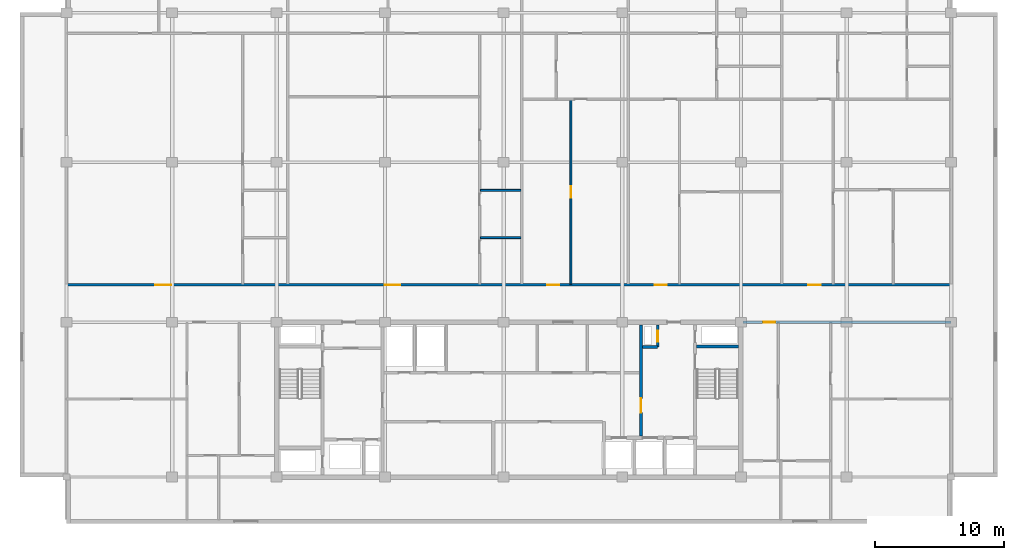
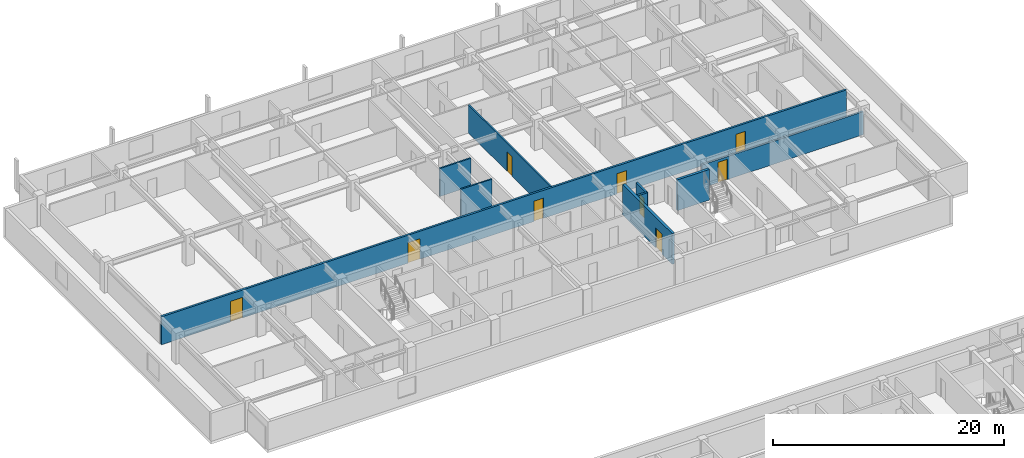
# One storey, part 12 of 21: 9 doors, 9 walls, 9 openings.
"""IFC4 building model written with IfcOpenShell, lengths in metres."""

from ifc_helpers import new_model, si_unit, direction, frame, frame_2d, origin, place, context, subcontext, project, spatial, rectangle, extrude, material, layer, layer_set, type_object, element, fill, save


model = new_model("IFC4")

# Units and contexts
model_context = context("Model", 3, precision=1e-05, world=origin(), true_north=direction((0.0, 1.0)))
body_context = subcontext(model_context, "Body", "Model", "MODEL_VIEW")
ifc_project = project(units=[si_unit("LENGTHUNIT", "METRE"), si_unit("AREAUNIT", "SQUARE_METRE"), si_unit("VOLUMEUNIT", "CUBIC_METRE"), si_unit("PLANEANGLEUNIT", "RADIAN"), si_unit("MASSUNIT", "GRAM", prefix="KILO")], contexts=[model_context])

# Site, building, storey
site_placement = place(None, origin())
site = spatial("IfcSite", under=ifc_project, at=site_placement, CompositionType="ELEMENT")
building_placement = place(site_placement, origin())
building = spatial("IfcBuilding", under=site, at=building_placement, Name="Korimba Cascade Residences", CompositionType="ELEMENT")
storey_placement = place(building_placement, frame((0.0, 0.0, 188.10009765625)))
storey = spatial("IfcBuildingStorey", under=building, at=storey_placement, Name="L54", CompositionType="ELEMENT", Elevation=188.10009765625)

# Wall, opening, door
ifc_material_1 = material(Name="Precast concrete C40/50", Category="concrete")
ifc_layer_1 = layer(ifc_material_1, 0.199951171875)
ifc_layer_set_1 = layer_set([ifc_layer_1], Name="Precast concrete C40/50")
wall_type_1 = type_object("IfcWallType", Name="WAL-IT-200", PredefinedType="PARTITIONING", material=ifc_layer_set_1)
wall_1_placement = place(storey_placement, frame((112.25, 67.199951171875, 0.0), z_axis=(0.0, 0.0, 1.0), x_axis=(1.0, 0.0, 0.0)))
wall_1 = element("IfcWall", 1, at=wall_1_placement, inside=storey, type_object=wall_type_1, Name="L54 Partition Wall WAL-L54-T1-FE-N", PredefinedType="PARTITIONING", context=body_context, shape_type="SweptSolid", body=[
    extrude(rectangle(XDim=16.14990234375, YDim=0.199951171875, at=frame_2d((8.074951171875, 0.0))), origin(), (0.0, 0.0, 1.0), 2.43310546875),
])
opening_1_placement = place(wall_1_placement, frame((1.580078125, 0.0, 0.0)))
opening_1 = element("IfcOpeningElement", 2, at=opening_1_placement, cuts=wall_1, Name="Opening D-UN1", PredefinedType="OPENING", context=body_context, shape_type="SweptSolid", body=[
    extrude(rectangle(XDim=0.949951171875, YDim=2.14990234375, at=frame_2d((0.47509765625, 1.074951171875))), frame((0.0, 0.10986328125, 0.0), z_axis=(0.0, -1.0, 0.0), x_axis=(1.0, 0.0, 0.0)), (0.0, 0.0, 1.0), 0.219970703125),
])
ifc_material_2 = material(Name="Fire-Rated Hardwood Apartment Entrance Door", Category="wood")
door_type_1 = type_object("IfcDoorType", Name="DR-FD60-950", OperationType="NOTDEFINED", PredefinedType="DOOR", material=ifc_material_2)
door_1_placement = place(opening_1_placement, origin())
door_1 = element("IfcDoor", 3, at=door_1_placement, inside=storey, type_object=door_type_1, Name="L54-T1-FE Entrance Door", OperationType="SINGLE_SWING_LEFT", OverallHeight=2.14990234375, OverallWidth=0.949951171875, PredefinedType="DOOR", context=body_context, shape_type="SweptSolid", body=[
    extrude(rectangle(XDim=0.949951171875, YDim=2.14990234375, at=frame_2d((0.47509765625, 1.074951171875))), frame((0.0, 0.02490234375, 0.0), z_axis=(0.0, -1.0, 0.0), x_axis=(1.0, 0.0, 0.0)), (0.0, 0.0, 1.0), 0.050048828125),
])
fill(opening_1, door_1)

# Wall, openings, doors
wall_2_placement = place(storey_placement, frame((59.800048828125, 70.10009765625, 0.0), z_axis=(0.0, 0.0, 1.0), x_axis=(1.0, 0.0, 0.0)))
wall_2 = element("IfcWall", 4, at=wall_2_placement, inside=storey, type_object=wall_type_1, Name="L54 Partition Wall WAL-L54-T1-CORN", PredefinedType="PARTITIONING", context=body_context, shape_type="SweptSolid", body=[
    extrude(rectangle(XDim=68.599853515625, YDim=0.199951171875, at=frame_2d((34.2998046875, 0.0))), origin(), (0.0, 0.0, 1.0), 2.969970703125),
])
opening_2_placement = place(wall_2_placement, frame((6.89404296875, 0.0, 0.0)))
opening_2 = element("IfcOpeningElement", 5, at=opening_2_placement, cuts=wall_2, Name="Opening D-AM1", PredefinedType="OPENING", context=body_context, shape_type="SweptSolid", body=[
    extrude(rectangle(XDim=1.219970703125, YDim=2.179931640625, at=frame_2d((0.60986328125, 1.08984375))), frame((0.0, 0.10986328125, 0.0), z_axis=(0.0, -1.0, 0.0), x_axis=(1.0, 0.0, 0.0)), (0.0, 0.0, 1.0), 0.219970703125),
])
opening_3_placement = place(wall_2_placement, frame((24.664794921875, 0.0, 0.0)))
opening_3 = element("IfcOpeningElement", 6, at=opening_3_placement, cuts=wall_2, Name="Opening D-AM1", PredefinedType="OPENING", context=body_context, shape_type="SweptSolid", body=[
    extrude(rectangle(XDim=1.219970703125, YDim=2.179931640625, at=frame_2d((0.60986328125, 1.08984375))), frame((0.0, 0.10986328125, 0.0), z_axis=(0.0, -1.0, 0.0), x_axis=(1.0, 0.0, 0.0)), (0.0, 0.0, 1.0), 0.219970703125),
])
opening_4_placement = place(wall_2_placement, frame((37.27587890625, 0.0, 0.0)))
opening_4 = element("IfcOpeningElement", 7, at=opening_4_placement, cuts=wall_2, Name="Opening D-UN1", PredefinedType="OPENING", context=body_context, shape_type="SweptSolid", body=[
    extrude(rectangle(XDim=0.949951171875, YDim=2.14990234375, at=frame_2d((0.47509765625, 1.074951171875))), frame((0.0, 0.10986328125, 0.0), z_axis=(0.0, -1.0, 0.0), x_axis=(1.0, 0.0, 0.0)), (0.0, 0.0, 1.0), 0.219970703125),
])
opening_5_placement = place(wall_2_placement, frame((45.615478515625, 0.0, 0.0)))
opening_5 = element("IfcOpeningElement", 8, at=opening_5_placement, cuts=wall_2, Name="Opening D-UN1", PredefinedType="OPENING", context=body_context, shape_type="SweptSolid", body=[
    extrude(rectangle(XDim=0.949951171875, YDim=2.14990234375, at=frame_2d((0.47509765625, 1.074951171875))), frame((0.0, 0.10986328125, 0.0), z_axis=(0.0, -1.0, 0.0), x_axis=(1.0, 0.0, 0.0)), (0.0, 0.0, 1.0), 0.219970703125),
])
opening_6_placement = place(wall_2_placement, frame((57.522216796875, 0.0, 0.0)))
opening_6 = element("IfcOpeningElement", 9, at=opening_6_placement, cuts=wall_2, Name="Opening D-UN1", PredefinedType="OPENING", context=body_context, shape_type="SweptSolid", body=[
    extrude(rectangle(XDim=0.949951171875, YDim=2.14990234375, at=frame_2d((0.47509765625, 1.074951171875))), frame((0.0, 0.10986328125, 0.0), z_axis=(0.0, -1.0, 0.0), x_axis=(1.0, 0.0, 0.0)), (0.0, 0.0, 1.0), 0.219970703125),
])
ifc_material_3 = material(Name="Fire-Rated Glazed Timber Suite Door", Category="wood")
door_type_2 = type_object("IfcDoorType", Name="DR-FD60-1200", OperationType="NOTDEFINED", PredefinedType="DOOR", material=ifc_material_3)
door_2_placement = place(opening_2_placement, origin())
door_2 = element("IfcDoor", 10, at=door_2_placement, inside=storey, type_object=door_type_2, Name="L54-T1-U01 Resident Conference Room Door", OperationType="SINGLE_SWING_LEFT", OverallHeight=2.179931640625, OverallWidth=1.219970703125, PredefinedType="DOOR", context=body_context, shape_type="SweptSolid", body=[
    extrude(rectangle(XDim=1.219970703125, YDim=2.179931640625, at=frame_2d((0.60986328125, 1.08984375))), frame((0.0, 0.02490234375, 0.0), z_axis=(0.0, -1.0, 0.0), x_axis=(1.0, 0.0, 0.0)), (0.0, 0.0, 1.0), 0.050048828125),
])
fill(opening_2, door_2)
door_3_placement = place(opening_3_placement, origin())
door_3 = element("IfcDoor", 11, at=door_3_placement, inside=storey, type_object=door_type_2, Name="L54-T1-U02 Health Consultation Clinic Door", OperationType="SINGLE_SWING_RIGHT", OverallHeight=2.179931640625, OverallWidth=1.219970703125, PredefinedType="DOOR", context=body_context, shape_type="SweptSolid", body=[
    extrude(rectangle(XDim=1.219970703125, YDim=2.179931640625, at=frame_2d((0.60986328125, 1.08984375))), frame((0.0, 0.02490234375, 0.0), z_axis=(0.0, -1.0, 0.0), x_axis=(1.0, 0.0, 0.0)), (0.0, 0.0, 1.0), 0.050048828125),
])
fill(opening_3, door_3)
door_4_placement = place(opening_4_placement, origin())
door_4 = element("IfcDoor", 12, at=door_4_placement, inside=storey, type_object=door_type_1, Name="Unit L54-T1-U03 Entrance Door", OperationType="SINGLE_SWING_LEFT", OverallHeight=2.14990234375, OverallWidth=0.949951171875, PredefinedType="DOOR", context=body_context, shape_type="SweptSolid", body=[
    extrude(rectangle(XDim=0.949951171875, YDim=2.14990234375, at=frame_2d((0.47509765625, 1.074951171875))), frame((0.0, 0.02490234375, 0.0), z_axis=(0.0, -1.0, 0.0), x_axis=(1.0, 0.0, 0.0)), (0.0, 0.0, 1.0), 0.050048828125),
])
fill(opening_4, door_4)
door_5_placement = place(opening_5_placement, origin())
door_5 = element("IfcDoor", 13, at=door_5_placement, inside=storey, type_object=door_type_1, Name="Unit L54-T1-U04 Entrance Door", OperationType="SINGLE_SWING_RIGHT", OverallHeight=2.14990234375, OverallWidth=0.949951171875, PredefinedType="DOOR", context=body_context, shape_type="SweptSolid", body=[
    extrude(rectangle(XDim=0.949951171875, YDim=2.14990234375, at=frame_2d((0.47509765625, 1.074951171875))), frame((0.0, 0.02490234375, 0.0), z_axis=(0.0, -1.0, 0.0), x_axis=(1.0, 0.0, 0.0)), (0.0, 0.0, 1.0), 0.050048828125),
])
fill(opening_5, door_5)
door_6_placement = place(opening_6_placement, origin())
door_6 = element("IfcDoor", 14, at=door_6_placement, inside=storey, type_object=door_type_1, Name="Unit L54-T1-U05 Entrance Door", OperationType="SINGLE_SWING_LEFT", OverallHeight=2.14990234375, OverallWidth=0.949951171875, PredefinedType="DOOR", context=body_context, shape_type="SweptSolid", body=[
    extrude(rectangle(XDim=0.949951171875, YDim=2.14990234375, at=frame_2d((0.47509765625, 1.074951171875))), frame((0.0, 0.02490234375, 0.0), z_axis=(0.0, -1.0, 0.0), x_axis=(1.0, 0.0, 0.0)), (0.0, 0.0, 1.0), 0.050048828125),
])
fill(opening_6, door_6)

# Walls
ifc_material_4 = material(Name="Insulated Acoustic Stud Partition", Category="gypsum")
ifc_layer_2 = layer(ifc_material_4, 0.14990234375)
ifc_layer_set_2 = layer_set([ifc_layer_2], Name="Insulated Acoustic Stud Partition")
wall_type_2 = type_object("IfcWallType", Name="WAL-PART-150", PredefinedType="PARTITIONING", material=ifc_layer_set_2)
for number, where, z_axis, x_axis, name in (
    (15, (91.9013671875, 73.77001953125, 0.0), (0.0, 0.0, 1.0), (1.0, 0.0, 0.0), "L54 Partition Wall WAL-L54-T1-U02-WCH"),
    (16, (91.9013671875, 77.419921875, 0.0), (0.0, 0.0, 1.0), (1.0, 0.0, 0.0), "L54 Partition Wall WAL-L54-T1-U02-WCH2"),
):
    element("IfcWall", number, at=place(storey_placement, frame(where, z_axis=z_axis, x_axis=x_axis)), inside=storey, type_object=wall_type_2, Name=name, PredefinedType="PARTITIONING", context=body_context, shape_type="SweptSolid", body=[
        extrude(rectangle(XDim=3.130126953125, YDim=0.14990234375, at=frame_2d((1.56494140625, 0.0))), origin(), (0.0, 0.0, 1.0), 2.969970703125),
    ])

# Wall, opening, door
wall_3_placement = place(storey_placement, frame((98.920166015625, 70.159912109375, 0.0), z_axis=(0.0, 0.0, 1.0), x_axis=(0.0, 1.0, 0.0)))
wall_3 = element("IfcWall", 17, at=wall_3_placement, inside=storey, type_object=wall_type_2, Name="L54 Partition Wall WAL-L54-T1-U03-FV", PredefinedType="PARTITIONING", context=body_context, shape_type="SweptSolid", body=[
    extrude(rectangle(XDim=14.300048828125, YDim=0.14990234375, at=frame_2d((7.14990234375, 0.0))), origin(), (0.0, 0.0, 1.0), 2.969970703125),
])
opening_7_placement = place(wall_3_placement, frame((6.7099609375, 0.0, 0.0)))
opening_7 = element("IfcOpeningElement", 18, at=opening_7_placement, cuts=wall_3, Name="Opening D-IN2", PredefinedType="OPENING", context=body_context, shape_type="SweptSolid", body=[
    extrude(rectangle(XDim=0.8798828125, YDim=2.06005859375, at=frame_2d((0.43994140625, 1.030029296875))), frame((0.0, 0.0849609375, 0.0), z_axis=(0.0, -1.0, 0.0), x_axis=(1.0, 0.0, 0.0)), (0.0, 0.0, 1.0), 0.169921875),
])
ifc_material_5 = material(Name="Acoustic Timber Bedroom Door", Category="wood")
door_type_3 = type_object("IfcDoorType", Name="DR-INT-880", OperationType="NOTDEFINED", PredefinedType="DOOR", material=ifc_material_5)
door_7_placement = place(opening_7_placement, origin())
door_7 = element("IfcDoor", 19, at=door_7_placement, inside=storey, type_object=door_type_3, Name="L54-T1-U03 Media Lounge Door", OperationType="SINGLE_SWING_LEFT", OverallHeight=2.06005859375, OverallWidth=0.8798828125, PredefinedType="DOOR", context=body_context, shape_type="SweptSolid", body=[
    extrude(rectangle(XDim=0.8798828125, YDim=2.06005859375, at=frame_2d((0.43994140625, 1.030029296875))), frame((0.0, 0.02490234375, 0.0), z_axis=(0.0, -1.0, 0.0), x_axis=(1.0, 0.0, 0.0)), (0.0, 0.0, 1.0), 0.050048828125),
])
fill(opening_7, door_7)

# Wall
ifc_material_6 = material(Name="Concrete C40/50", Category="concrete")
ifc_layer_3 = layer(ifc_material_6, 0.199951171875)
ifc_layer_set_3 = layer_set([ifc_layer_3], Name="Concrete C40/50")
wall_type_3 = type_object("IfcWallType", Name="WAL-PART-200", PredefinedType="PARTITIONING", material=ifc_layer_set_3)
wall_4_placement = place(storey_placement, frame((104.449951171875, 65.280029296875, 0.0), z_axis=(0.0, 0.0, 1.0), x_axis=(1.0, 0.0, 0.0)))
element("IfcWall", 20, at=wall_4_placement, inside=storey, type_object=wall_type_3, Name="L54 Partition Wall CW-L54-T1-HYDW2S", PredefinedType="PARTITIONING", context=body_context, shape_type="SweptSolid", body=[
    extrude(rectangle(XDim=1.199951171875, YDim=0.199951171875, at=frame_2d((0.60009765625, 0.0))), origin(), (0.0, 0.0, 1.0), 2.969970703125),
])

# Wall, opening, door
wall_5_placement = place(storey_placement, frame((105.64990234375, 65.280029296875, 0.0), z_axis=(0.0, 0.0, 1.0), x_axis=(0.0, 1.0, 0.0)))
wall_5 = element("IfcWall", 21, at=wall_5_placement, inside=storey, type_object=wall_type_3, Name="L54 Partition Wall CW-L54-T1-HYDW2E", PredefinedType="PARTITIONING", context=body_context, shape_type="SweptSolid", body=[
    extrude(rectangle(XDim=1.719970703125, YDim=0.199951171875, at=frame_2d((0.85986328125, 0.0))), origin(), (0.0, 0.0, 1.0), 2.969970703125),
])
opening_8_placement = place(wall_5_placement, frame((0.39990234375, 0.0, 0.0)))
opening_8 = element("IfcOpeningElement", 22, at=opening_8_placement, cuts=wall_5, Name="Opening D-RS1", PredefinedType="OPENING", context=body_context, shape_type="SweptSolid", body=[
    extrude(rectangle(XDim=0.85009765625, YDim=2.050048828125, at=frame_2d((0.425048828125, 1.02490234375))), frame((0.0, 0.10986328125, 0.0), z_axis=(0.0, -1.0, 0.0), x_axis=(1.0, 0.0, 0.0)), (0.0, 0.0, 1.0), 0.219970703125),
])
ifc_material_7 = material(Name="Fire-Rated Steel Riser Access Door", Category="steel")
door_type_4 = type_object("IfcDoorType", Name="DR-FD60-850", OperationType="NOTDEFINED", PredefinedType="DOOR", material=ifc_material_7)
door_8_placement = place(opening_8_placement, origin())
door_8 = element("IfcDoor", 23, at=door_8_placement, inside=storey, type_object=door_type_4, Name="L54 East Hydrant Door", OperationType="SINGLE_SWING_RIGHT", OverallHeight=2.050048828125, OverallWidth=0.85009765625, PredefinedType="DOOR", context=body_context, shape_type="SweptSolid", body=[
    extrude(rectangle(XDim=0.85009765625, YDim=2.050048828125, at=frame_2d((0.425048828125, 1.02490234375))), frame((0.0, 0.02490234375, 0.0), z_axis=(0.0, -1.0, 0.0), x_axis=(1.0, 0.0, 0.0)), (0.0, 0.0, 1.0), 0.050048828125),
])
fill(opening_8, door_8)

ifc_material_8 = material(Name="Concrete C50/60", Category="concrete")
ifc_layer_4 = layer(ifc_material_8, 0.25)
ifc_layer_set_4 = layer_set([ifc_layer_4], Name="Concrete C50/60")
wall_type_4 = type_object("IfcWallType", Name="WAL-SHAFT-250", PredefinedType="SHEAR", material=ifc_layer_set_4)
wall_6_placement = place(storey_placement, frame((104.35009765625, 58.39990234375, 0.0), z_axis=(0.0, 0.0, 1.0), x_axis=(0.0, 1.0, 0.0)))
wall_6 = element("IfcWall", 24, at=wall_6_placement, inside=storey, type_object=wall_type_4, Name="L54 Core Shear Wall CW-L54-T1-LLEV", PredefinedType="SHEAR", context=body_context, shape_type="SweptSolid", body=[
    extrude(rectangle(XDim=8.60009765625, YDim=0.25, at=frame_2d((4.300048828125, 0.0))), origin(), (0.0, 0.0, 1.0), 3.25),
])
opening_9_placement = place(wall_6_placement, frame((1.800048828125, 0.0, 0.0)))
opening_9 = element("IfcOpeningElement", 25, at=opening_9_placement, cuts=wall_6, Name="Opening D-FD1", PredefinedType="OPENING", context=body_context, shape_type="SweptSolid", body=[
    extrude(rectangle(XDim=1.10009765625, YDim=2.10009765625, at=frame_2d((0.550048828125, 1.050048828125))), frame((0.0, 0.135009765625, 0.0), z_axis=(0.0, -1.0, 0.0), x_axis=(1.0, 0.0, 0.0)), (0.0, 0.0, 1.0), 0.27001953125),
])
ifc_material_9 = material(Name="Fire-Rated Steel Core Door", Category="steel")
door_type_5 = type_object("IfcDoorType", Name="DR-FD120-1100", OperationType="NOTDEFINED", PredefinedType="DOOR", material=ifc_material_9)
door_9_placement = place(opening_9_placement, origin())
door_9 = element("IfcDoor", 26, at=door_9_placement, inside=storey, type_object=door_type_5, Name="L54 Lift Lobby to East Firefighting Lobby Door", OperationType="SINGLE_SWING_LEFT", OverallHeight=2.10009765625, OverallWidth=1.10009765625, PredefinedType="DOOR", context=body_context, shape_type="SweptSolid", body=[
    extrude(rectangle(XDim=1.10009765625, YDim=2.10009765625, at=frame_2d((0.550048828125, 1.050048828125))), frame((0.0, 0.02490234375, 0.0), z_axis=(0.0, -1.0, 0.0), x_axis=(1.0, 0.0, 0.0)), (0.0, 0.0, 1.0), 0.050048828125),
])
fill(opening_9, door_9)

# Wall
wall_7_placement = place(storey_placement, frame((108.659912109375, 65.324951171875, 0.0), z_axis=(0.0, 0.0, 1.0), x_axis=(1.0, 0.0, 0.0)))
element("IfcWall", 27, at=wall_7_placement, inside=storey, type_object=wall_type_4, Name="L54 Core Shear Wall CW-L54-T1-STW2N", PredefinedType="SHEAR", context=body_context, shape_type="SweptSolid", body=[
    extrude(rectangle(XDim=3.239990234375, YDim=0.25, at=frame_2d((1.6201171875, 0.0))), origin(), (0.0, 0.0, 1.0), 3.25),
])

save(model, "model.ifc")
